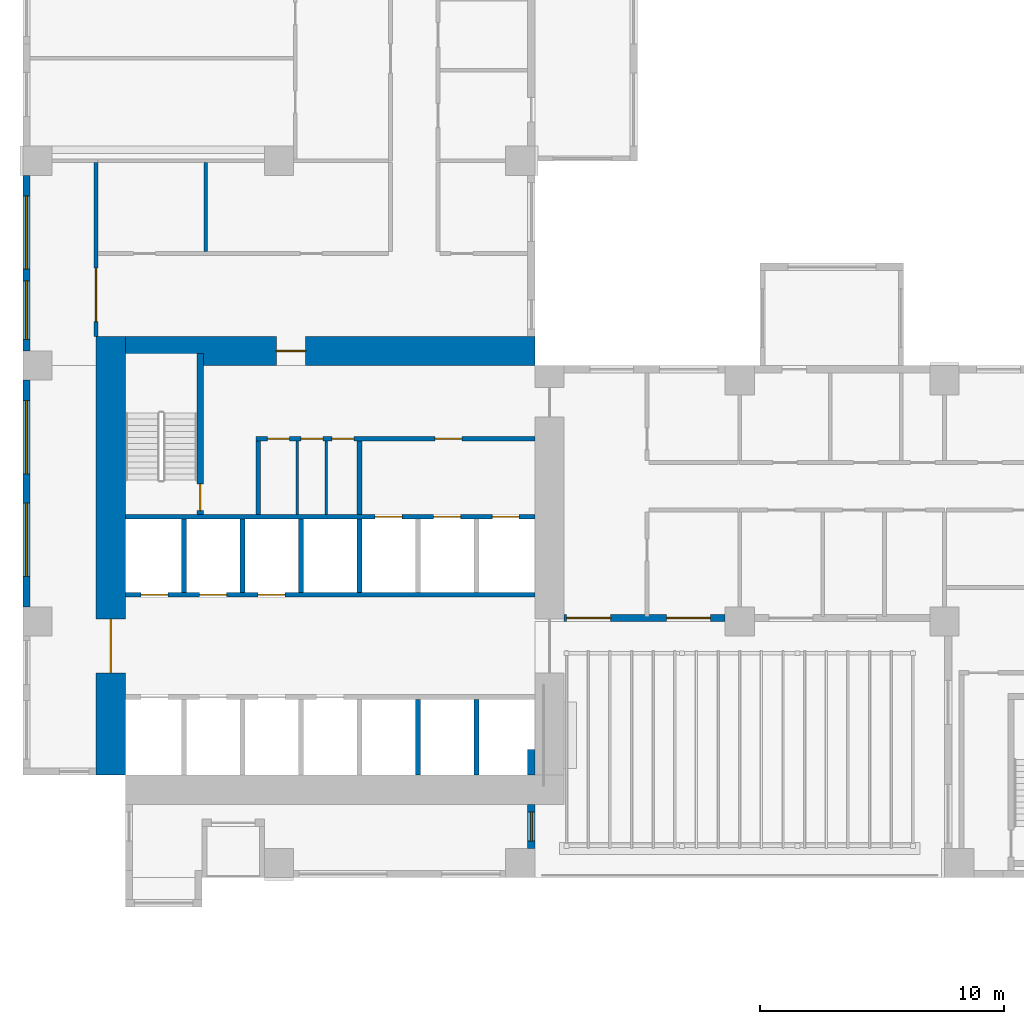
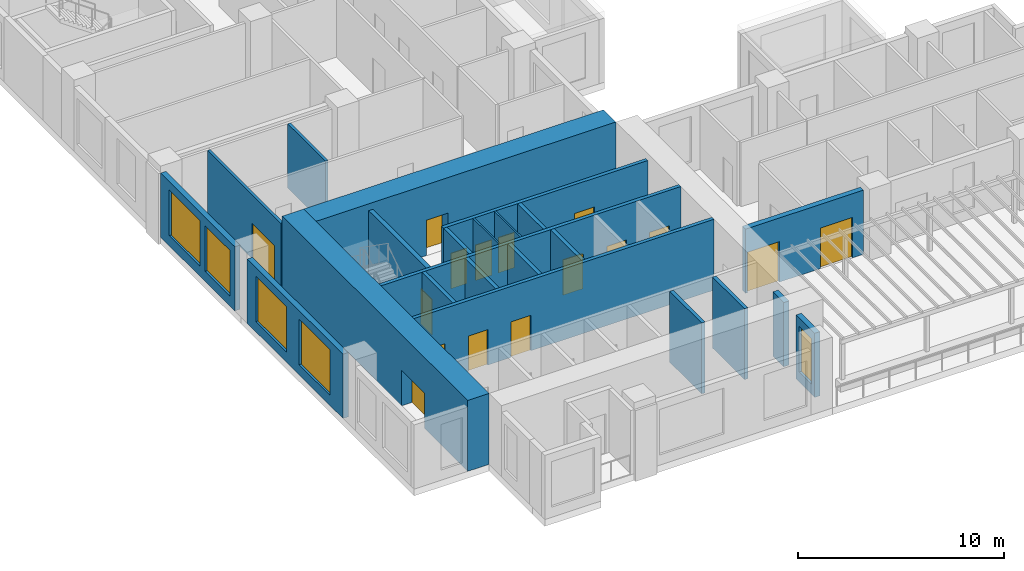
# One storey, part 4 of 16: 23 walls, 16 doors, 5 windows, 21 openings.
"""IFC4 building model written with IfcOpenShell, lengths in metres."""

from ifc_helpers import new_model, si_unit, direction, frame, frame_2d, origin, place, context, subcontext, project, spatial, rectangle, extrude, source, transform, mapped, material, layer, layer_set, type_object, element, fill, save


model = new_model("IFC4")

# Units and contexts
model_context = context("Model", 3, precision=1e-05, world=origin(), true_north=direction((0.0, 1.0)))
body_context = subcontext(model_context, "Body", "Model", "MODEL_VIEW")
ifc_project = project(units=[si_unit("LENGTHUNIT", "METRE"), si_unit("AREAUNIT", "SQUARE_METRE"), si_unit("VOLUMEUNIT", "CUBIC_METRE"), si_unit("PLANEANGLEUNIT", "RADIAN"), si_unit("MASSUNIT", "GRAM", prefix="KILO")], contexts=[model_context])

# Site, building, storey
site_placement = place(None, origin())
site = spatial("IfcSite", under=ifc_project, at=site_placement, CompositionType="ELEMENT")
building_placement = place(site_placement, origin())
building = spatial("IfcBuilding", under=site, at=building_placement, Name="Aurelian Terraces", CompositionType="ELEMENT")
storey_placement = place(building_placement, frame((0.0, 0.0, 95.1)))
storey = spatial("IfcBuildingStorey", under=building, at=storey_placement, Name="L20", CompositionType="ELEMENT", Elevation=95.1)

# Wall, opening, door
ifc_material_1 = material(Name="Concrete fc' 83 MPa", Category="concrete")
ifc_layer_1 = layer(ifc_material_1, 1.2)
ifc_layer_set_1 = layer_set([ifc_layer_1], Name="CORE WALL 1200 FC83")
wall_type_1 = type_object("IfcWallType", Name="CORE WALL 1200 FC83", PredefinedType="SHEAR", material=ifc_layer_set_1)
shared_shape_1 = source(origin(), body_context, "Body", "SweptSolid", [
    extrude(rectangle(XDim=18.0, YDim=1.2, at=frame_2d((9.0, 0.0))), origin(), (0.0, 0.0, 1.0), 4.2),
])
wall_1_placement = place(storey_placement, frame((3.6, 4.2, 0.0), z_axis=(0.0, 0.0, 1.0), x_axis=(0.0, 1.0, 0.0)))
wall_1 = element("IfcWall", 1, at=wall_1_placement, inside=storey, type_object=wall_type_1, Name="Core wall W L20", PredefinedType="SHEAR", context=body_context, shape_type="MappedRepresentation", body=[
    mapped(shared_shape_1, transform((0.0, 0.0, 0.0), scale=1.0)),
])
shared_shape_2 = source(origin(), body_context, "Body", "SweptSolid", [
    extrude(rectangle(XDim=2.2, YDim=2.1, at=frame_2d((1.1, 1.05))), frame((0.0, 0.61, 0.0), z_axis=(0.0, -1.0, 0.0), x_axis=(1.0, 0.0, 0.0)), (0.0, 0.0, 1.0), 1.22),
])
opening_1_placement = place(wall_1_placement, frame((4.2, 0.0, 0.0)))
opening_1 = element("IfcOpeningElement", 2, at=opening_1_placement, cuts=wall_1, Name="Opening 62322", PredefinedType="OPENING", context=body_context, shape_type="MappedRepresentation", body=[
    mapped(shared_shape_2, transform((0.0, 0.0, 0.0), scale=1.0)),
])
ifc_material_2 = material(Name="Steel door leaf", Category="steel")
door_type_1 = type_object("IfcDoorType", Name="Core double door 2200x2100", OperationType="DOUBLE_DOOR_SINGLE_SWING", PredefinedType="DOOR", material=ifc_material_2)
shared_shape_3 = source(origin(), body_context, "Body", "SweptSolid", [
    extrude(rectangle(XDim=2.2, YDim=2.1, at=frame_2d((1.1, 1.05))), frame((0.0, 0.025, 0.0), z_axis=(0.0, -1.0, 0.0), x_axis=(1.0, 0.0, 0.0)), (0.0, 0.0, 1.0), 0.05),
])
door_1_placement = place(opening_1_placement, origin())
door_1 = element("IfcDoor", 3, at=door_1_placement, inside=storey, type_object=door_type_1, Name="Core door 62322", OperationType="DOUBLE_DOOR_SINGLE_SWING", OverallHeight=2.1, OverallWidth=2.2, PredefinedType="DOOR", context=body_context, shape_type="MappedRepresentation", body=[
    mapped(shared_shape_3, transform((0.0, 0.0, 0.0), scale=1.0)),
])
fill(opening_1, door_1)

shared_shape_4 = source(origin(), body_context, "Body", "SweptSolid", [
    extrude(rectangle(XDim=16.8, YDim=1.2, at=frame_2d((8.4, 0.0))), origin(), (0.0, 0.0, 1.0), 4.2),
])
wall_2_placement = place(storey_placement, frame((4.2, 21.6, 0.0), z_axis=(0.0, 0.0, 1.0), x_axis=(1.0, 0.0, 0.0)))
wall_2 = element("IfcWall", 4, at=wall_2_placement, inside=storey, type_object=wall_type_1, Name="Core wall N L20", PredefinedType="SHEAR", context=body_context, shape_type="MappedRepresentation", body=[
    mapped(shared_shape_4, transform((0.0, 0.0, 0.0), scale=1.0)),
])
shared_shape_5 = source(origin(), body_context, "Body", "SweptSolid", [
    extrude(rectangle(XDim=1.2, YDim=2.1, at=frame_2d((0.6, 1.05))), frame((0.0, 0.61, 0.0), z_axis=(0.0, -1.0, 0.0), x_axis=(1.0, 0.0, 0.0)), (0.0, 0.0, 1.0), 1.22),
])
opening_2_placement = place(wall_2_placement, frame((6.2, 0.0, 0.0)))
opening_2 = element("IfcOpeningElement", 5, at=opening_2_placement, cuts=wall_2, Name="Opening 62323", PredefinedType="OPENING", context=body_context, shape_type="MappedRepresentation", body=[
    mapped(shared_shape_5, transform((0.0, 0.0, 0.0), scale=1.0)),
])
door_type_2 = type_object("IfcDoorType", Name="Core fire door 1200x2100 right", OperationType="SINGLE_SWING_RIGHT", PredefinedType="DOOR", material=ifc_material_2)
shared_shape_6 = source(origin(), body_context, "Body", "SweptSolid", [
    extrude(rectangle(XDim=1.2, YDim=2.1, at=frame_2d((0.6, 1.05))), frame((0.0, 0.025, 0.0), z_axis=(0.0, -1.0, 0.0), x_axis=(1.0, 0.0, 0.0)), (0.0, 0.0, 1.0), 0.05),
])
door_2_placement = place(opening_2_placement, origin())
door_2 = element("IfcDoor", 6, at=door_2_placement, inside=storey, type_object=door_type_2, Name="Core door 62323", OperationType="SINGLE_SWING_RIGHT", OverallHeight=2.1, OverallWidth=1.2, PredefinedType="DOOR", context=body_context, shape_type="MappedRepresentation", body=[
    mapped(shared_shape_6, transform((0.0, 0.0, 0.0), scale=1.0)),
])
fill(opening_2, door_2)

# Wall, openings, windows
ifc_material_3 = material(Name="Terracotta rainscreen cladding", Category="masonry")
ifc_layer_2 = layer(ifc_material_3, 0.3)
ifc_layer_set_2 = layer_set([ifc_layer_2], Name="EW-300")
wall_type_2 = type_object("IfcWallType", Name="EW-300", PredefinedType="STANDARD", material=ifc_layer_set_2)
shared_shape_7 = source(origin(), body_context, "Body", "SweptSolid", [
    extrude(rectangle(XDim=7.2, YDim=0.3, at=frame_2d((3.6, 0.0))), origin(), (0.0, 0.0, 1.0), 3.8),
])
wall_3_placement = place(storey_placement, frame((0.15, 28.8, 0.0), z_axis=(0.0, 0.0, 1.0), x_axis=(0.0, -1.0, 0.0)))
wall_3 = element("IfcWall", 7, at=wall_3_placement, inside=storey, type_object=wall_type_2, Name="External wall L20 F18.38", PredefinedType="STANDARD", context=body_context, shape_type="MappedRepresentation", body=[
    mapped(shared_shape_7, transform((0.0, 0.0, 0.0), scale=1.0)),
])
shared_shape_8 = source(origin(), body_context, "Body", "SweptSolid", [
    extrude(rectangle(XDim=3.0, YDim=2.7, at=frame_2d((1.5, 1.35))), frame((0.0, 0.16, 0.0), z_axis=(0.0, -1.0, 0.0), x_axis=(1.0, 0.0, 0.0)), (0.0, 0.0, 1.0), 0.32),
])
opening_3_placement = place(wall_3_placement, frame((0.84, 0.0, 0.6)))
opening_3 = element("IfcOpeningElement", 8, at=opening_3_placement, cuts=wall_3, Name="Opening W3027", PredefinedType="OPENING", context=body_context, shape_type="MappedRepresentation", body=[
    mapped(shared_shape_8, transform((0.0, 0.0, 0.0), scale=1.0)),
])
shared_shape_9 = source(origin(), body_context, "Body", "SweptSolid", [
    extrude(rectangle(XDim=2.4, YDim=2.7, at=frame_2d((1.2, 1.35))), frame((0.0, 0.16, 0.0), z_axis=(0.0, -1.0, 0.0), x_axis=(1.0, 0.0, 0.0)), (0.0, 0.0, 1.0), 0.32),
])
opening_4_placement = place(wall_3_placement, frame((4.32, 0.0, 0.6)))
opening_4 = element("IfcOpeningElement", 9, at=opening_4_placement, cuts=wall_3, Name="Opening W2427", PredefinedType="OPENING", context=body_context, shape_type="MappedRepresentation", body=[
    mapped(shared_shape_9, transform((0.0, 0.0, 0.0), scale=1.0)),
])
ifc_material_4 = material(Name="Clear glazing", Category="glass")
window_type_1 = type_object("IfcWindowType", Name="W-2400x2700", PartitioningType="SINGLE_PANEL", PredefinedType="WINDOW", material=ifc_material_4)
shared_shape_10 = source(origin(), body_context, "Body", "SweptSolid", [
    extrude(rectangle(XDim=2.4, YDim=2.7, at=frame_2d((1.2, 1.35))), frame((0.0, 0.03, 0.0), z_axis=(0.0, -1.0, 0.0), x_axis=(1.0, 0.0, 0.0)), (0.0, 0.0, 1.0), 0.06),
])
window_1_placement = place(opening_4_placement, origin())
window_1 = element("IfcWindow", 10, at=window_1_placement, inside=storey, type_object=window_type_1, Name="Window L20 L20-F18-38-G6-225", OverallHeight=2.7, OverallWidth=2.4, PartitioningType="SINGLE_PANEL", PredefinedType="WINDOW", context=body_context, shape_type="MappedRepresentation", body=[
    mapped(shared_shape_10, transform((0.0, 0.0, 0.0), scale=1.0)),
])
fill(opening_4, window_1)
window_type_2 = type_object("IfcWindowType", Name="W-3000x2700", PartitioningType="SINGLE_PANEL", PredefinedType="WINDOW", material=ifc_material_4)
shared_shape_11 = source(origin(), body_context, "Body", "SweptSolid", [
    extrude(rectangle(XDim=3.0, YDim=2.7, at=frame_2d((1.5, 1.35))), frame((0.0, 0.03, 0.0), z_axis=(0.0, -1.0, 0.0), x_axis=(1.0, 0.0, 0.0)), (0.0, 0.0, 1.0), 0.06),
])
window_2_placement = place(opening_3_placement, origin())
window_2 = element("IfcWindow", 11, at=window_2_placement, inside=storey, type_object=window_type_2, Name="Window L20 L20-F18-38-4", OverallHeight=2.7, OverallWidth=3.0, PartitioningType="SINGLE_PANEL", PredefinedType="WINDOW", context=body_context, shape_type="MappedRepresentation", body=[
    mapped(shared_shape_11, transform((0.0, 0.0, 0.0), scale=1.0)),
])
fill(opening_3, window_2)

# Wall, opening, window
shared_shape_12 = source(origin(), body_context, "Body", "SweptSolid", [
    extrude(rectangle(XDim=1.8, YDim=0.3, at=frame_2d((0.9, 0.0))), origin(), (0.0, 0.0, 1.0), 3.8),
])
wall_4_placement = place(storey_placement, frame((20.85, 1.2, 0.0), z_axis=(0.0, 0.0, 1.0), x_axis=(0.0, 1.0, 0.0)))
wall_4 = element("IfcWall", 12, at=wall_4_placement, inside=storey, type_object=wall_type_2, Name="External wall L20 F02.4", PredefinedType="STANDARD", context=body_context, shape_type="MappedRepresentation", body=[
    mapped(shared_shape_12, transform((0.0, 0.0, 0.0), scale=1.0)),
])
shared_shape_13 = source(origin(), body_context, "Body", "SweptSolid", [
    extrude(rectangle(XDim=1.2, YDim=2.7, at=frame_2d((0.6, 1.35))), frame((0.0, 0.16, 0.0), z_axis=(0.0, -1.0, 0.0), x_axis=(1.0, 0.0, 0.0)), (0.0, 0.0, 1.0), 0.32),
])
opening_5_placement = place(wall_4_placement, frame((0.3, 0.0, 0.6)))
opening_5 = element("IfcOpeningElement", 13, at=opening_5_placement, cuts=wall_4, Name="Opening W1227", PredefinedType="OPENING", context=body_context, shape_type="MappedRepresentation", body=[
    mapped(shared_shape_13, transform((0.0, 0.0, 0.0), scale=1.0)),
])
window_type_3 = type_object("IfcWindowType", Name="W-1200x2700", PartitioningType="SINGLE_PANEL", PredefinedType="WINDOW", material=ifc_material_4)
shared_shape_14 = source(origin(), body_context, "Body", "SweptSolid", [
    extrude(rectangle(XDim=1.2, YDim=2.7, at=frame_2d((0.6, 1.35))), frame((0.0, 0.03, 0.0), z_axis=(0.0, -1.0, 0.0), x_axis=(1.0, 0.0, 0.0)), (0.0, 0.0, 1.0), 0.06),
])
window_3_placement = place(opening_5_placement, origin())
window_3 = element("IfcWindow", 14, at=window_3_placement, inside=storey, type_object=window_type_3, Name="Window L20 L20-F02-04-P0", OverallHeight=2.7, OverallWidth=1.2, PartitioningType="SINGLE_PANEL", PredefinedType="WINDOW", context=body_context, shape_type="MappedRepresentation", body=[
    mapped(shared_shape_14, transform((0.0, 0.0, 0.0), scale=1.0)),
])
fill(opening_5, window_3)

# Wall, openings, doors
shared_shape_15 = source(origin(), body_context, "Body", "SweptSolid", [
    extrude(rectangle(XDim=6.6, YDim=0.3, at=frame_2d((3.3, 0.0))), origin(), (0.0, 0.0, 1.0), 3.8),
])
wall_5_placement = place(storey_placement, frame((22.2, 10.65, 0.0), z_axis=(0.0, 0.0, 1.0), x_axis=(1.0, 0.0, 0.0)))
wall_5 = element("IfcWall", 15, at=wall_5_placement, inside=storey, type_object=wall_type_2, Name="External wall L20 F03.6", PredefinedType="STANDARD", context=body_context, shape_type="MappedRepresentation", body=[
    mapped(shared_shape_15, transform((0.0, 0.0, 0.0), scale=1.0)),
])
shared_shape_16 = source(origin(), body_context, "Body", "SweptSolid", [
    extrude(rectangle(XDim=1.8, YDim=2.4, at=frame_2d((0.9, 1.2))), frame((0.0, 0.16, 0.0), z_axis=(0.0, -1.0, 0.0), x_axis=(1.0, 0.0, 0.0)), (0.0, 0.0, 1.0), 0.32),
])
opening_6_placement = place(wall_5_placement, frame((0.1, 0.0, 0.0)))
opening_6 = element("IfcOpeningElement", 16, at=opening_6_placement, cuts=wall_5, Name="Opening 82002", PredefinedType="OPENING", context=body_context, shape_type="MappedRepresentation", body=[
    mapped(shared_shape_16, transform((0.0, 0.0, 0.0), scale=1.0)),
])
opening_7_placement = place(wall_5_placement, frame((4.2, 0.0, 0.0)))
opening_7 = element("IfcOpeningElement", 17, at=opening_7_placement, cuts=wall_5, Name="Opening 82003", PredefinedType="OPENING", context=body_context, shape_type="MappedRepresentation", body=[
    mapped(shared_shape_16, transform((0.0, 0.0, 0.0), scale=1.0)),
])
door_type_3 = type_object("IfcDoorType", Name="BD-1800x2400", OperationType="SLIDING_TO_LEFT", PredefinedType="DOOR", material=ifc_material_4)
shared_shape_17 = source(origin(), body_context, "Body", "SweptSolid", [
    extrude(rectangle(XDim=1.8, YDim=2.4, at=frame_2d((0.9, 1.2))), frame((0.0, 0.025, 0.0), z_axis=(0.0, -1.0, 0.0), x_axis=(1.0, 0.0, 0.0)), (0.0, 0.0, 1.0), 0.05),
])
door_3_placement = place(opening_6_placement, origin())
door_3 = element("IfcDoor", 18, at=door_3_placement, inside=storey, type_object=door_type_3, Name="Terrace door L20 L20-F03-06.1", OperationType="SLIDING_TO_LEFT", OverallHeight=2.4, OverallWidth=1.8, PredefinedType="DOOR", context=body_context, shape_type="MappedRepresentation", body=[
    mapped(shared_shape_17, transform((0.0, 0.0, 0.0), scale=1.0)),
])
fill(opening_6, door_3)
door_4_placement = place(opening_7_placement, origin())
door_4 = element("IfcDoor", 19, at=door_4_placement, inside=storey, type_object=door_type_3, Name="Terrace door L20 L20-F03-06.2", OperationType="SLIDING_TO_LEFT", OverallHeight=2.4, OverallWidth=1.8, PredefinedType="DOOR", context=body_context, shape_type="MappedRepresentation", body=[
    mapped(shared_shape_17, transform((0.0, 0.0, 0.0), scale=1.0)),
])
fill(opening_7, door_4)

# Wall
shared_shape_18 = source(origin(), body_context, "Body", "SweptSolid", [
    extrude(rectangle(XDim=1.05, YDim=0.3, at=frame_2d((0.525, 0.0))), origin(), (0.0, 0.0, 1.0), 3.8),
])
wall_6_placement = place(storey_placement, frame((20.85, 4.2, 0.0), z_axis=(0.0, 0.0, 1.0), x_axis=(0.0, 1.0, 0.0)))
element("IfcWall", 20, at=wall_6_placement, inside=storey, type_object=wall_type_2, Name="External wall L20 F02.4", PredefinedType="STANDARD", context=body_context, shape_type="MappedRepresentation", body=[
    mapped(shared_shape_18, transform((0.0, 0.0, 0.0), scale=1.0)),
])

# Wall, openings, windows
shared_shape_19 = source(origin(), body_context, "Body", "SweptSolid", [
    extrude(rectangle(XDim=9.3, YDim=0.3, at=frame_2d((4.65, 0.0))), origin(), (0.0, 0.0, 1.0), 3.8),
])
wall_7_placement = place(storey_placement, frame((0.15, 20.4, 0.0), z_axis=(0.0, 0.0, 1.0), x_axis=(0.0, -1.0, 0.0)))
wall_7 = element("IfcWall", 21, at=wall_7_placement, inside=storey, type_object=wall_type_2, Name="External wall L20 F18.38", PredefinedType="STANDARD", context=body_context, shape_type="MappedRepresentation", body=[
    mapped(shared_shape_19, transform((0.0, 0.0, 0.0), scale=1.0)),
])
opening_8_placement = place(wall_7_placement, frame((0.84, 0.0, 0.6)))
opening_8 = element("IfcOpeningElement", 22, at=opening_8_placement, cuts=wall_7, Name="Opening W3027", PredefinedType="OPENING", context=body_context, shape_type="MappedRepresentation", body=[
    mapped(shared_shape_8, transform((0.0, 0.0, 0.0), scale=1.0)),
])
opening_9_placement = place(wall_7_placement, frame((5.04, 0.0, 0.6)))
opening_9 = element("IfcOpeningElement", 23, at=opening_9_placement, cuts=wall_7, Name="Opening W3027", PredefinedType="OPENING", context=body_context, shape_type="MappedRepresentation", body=[
    mapped(shared_shape_8, transform((0.0, 0.0, 0.0), scale=1.0)),
])
window_4_placement = place(opening_8_placement, origin())
window_4 = element("IfcWindow", 24, at=window_4_placement, inside=storey, type_object=window_type_2, Name="Window L20 L20-F18-38-6", OverallHeight=2.7, OverallWidth=3.0, PartitioningType="SINGLE_PANEL", PredefinedType="WINDOW", context=body_context, shape_type="MappedRepresentation", body=[
    mapped(shared_shape_11, transform((0.0, 0.0, 0.0), scale=1.0)),
])
fill(opening_8, window_4)
window_5_placement = place(opening_9_placement, origin())
window_5 = element("IfcWindow", 25, at=window_5_placement, inside=storey, type_object=window_type_2, Name="Window L20 L20-F18-38-7", OverallHeight=2.7, OverallWidth=3.0, PartitioningType="SINGLE_PANEL", PredefinedType="WINDOW", context=body_context, shape_type="MappedRepresentation", body=[
    mapped(shared_shape_11, transform((0.0, 0.0, 0.0), scale=1.0)),
])
fill(opening_9, window_5)

# Walls
ifc_material_5 = material(Name="Concrete fc' 40 MPa", Category="concrete")
ifc_layer_3 = layer(ifc_material_5, 0.2)
ifc_layer_set_3 = layer_set([ifc_layer_3], Name="Lift shaft wall 200")
wall_type_3 = type_object("IfcWallType", Name="Lift shaft wall 200", PredefinedType="SOLIDWALL", material=ifc_layer_set_3)
shared_shape_20 = source(origin(), body_context, "Body", "SweptSolid", [
    extrude(rectangle(XDim=3.1, YDim=0.2, at=frame_2d((1.55, 0.0))), origin(), (0.0, 0.0, 1.0), 4.2),
])
for number, where, z_axis, x_axis, name in (
    (26, (16.2, 4.2, 0.0), (0.0, 0.0, 1.0), (0.0, 1.0, 0.0), "L20 core wall CD-A5"),
    (27, (18.6, 4.2, 0.0), (0.0, 0.0, 1.0), (0.0, 1.0, 0.0), "L20 core wall CD-A6"),
):
    element("IfcWall", number, at=place(storey_placement, frame(where, z_axis=z_axis, x_axis=x_axis)), inside=storey, type_object=wall_type_3, Name=name, PredefinedType="SOLIDWALL", context=body_context, shape_type="MappedRepresentation", body=[
        mapped(shared_shape_20, transform((0.0, 0.0, 0.0), scale=1.0)),
    ])
shared_shape_21 = source(origin(), body_context, "Body", "SweptSolid", [
    extrude(rectangle(XDim=3.0, YDim=0.2, at=frame_2d((1.5, 0.0))), origin(), (0.0, 0.0, 1.0), 4.2),
])
for number, where, z_axis, x_axis, name in (
    (28, (6.6, 11.7, 0.0), (0.0, 0.0, 1.0), (0.0, 1.0, 0.0), "L20 core wall CD-B1"),
    (29, (9.0, 11.7, 0.0), (0.0, 0.0, 1.0), (0.0, 1.0, 0.0), "L20 core wall CD-B2"),
    (30, (11.4, 11.7, 0.0), (0.0, 0.0, 1.0), (0.0, 1.0, 0.0), "L20 core wall CD-B3"),
    (31, (13.8, 11.7, 0.0), (0.0, 0.0, 1.0), (0.0, 1.0, 0.0), "L20 core wall CD-B4"),
):
    element("IfcWall", number, at=place(storey_placement, frame(where, z_axis=z_axis, x_axis=x_axis)), inside=storey, type_object=wall_type_3, Name=name, PredefinedType="SOLIDWALL", context=body_context, shape_type="MappedRepresentation", body=[
        mapped(shared_shape_21, transform((0.0, 0.0, 0.0), scale=1.0)),
    ])

# Wall, openings, doors
shared_shape_22 = source(origin(), body_context, "Body", "SweptSolid", [
    extrude(rectangle(XDim=16.8, YDim=0.2, at=frame_2d((8.4, 0.0))), origin(), (0.0, 0.0, 1.0), 4.2),
])
wall_8_placement = place(storey_placement, frame((4.2, 11.6, 0.0), z_axis=(0.0, 0.0, 1.0), x_axis=(1.0, 0.0, 0.0)))
wall_8 = element("IfcWall", 32, at=wall_8_placement, inside=storey, type_object=wall_type_3, Name="L20 core wall CF-BF1", PredefinedType="SOLIDWALL", context=body_context, shape_type="MappedRepresentation", body=[
    mapped(shared_shape_22, transform((0.0, 0.0, 0.0), scale=1.0)),
])
shared_shape_23 = source(origin(), body_context, "Body", "SweptSolid", [
    extrude(rectangle(XDim=1.1, YDim=2.1, at=frame_2d((0.55, 1.05))), frame((0.0, 0.11, 0.0), z_axis=(0.0, -1.0, 0.0), x_axis=(1.0, 0.0, 0.0)), (0.0, 0.0, 1.0), 0.22),
])
opening_10_placement = place(wall_8_placement, frame((0.65, 0.0, 0.0)))
opening_10 = element("IfcOpeningElement", 33, at=opening_10_placement, cuts=wall_8, Name="Opening 62304", PredefinedType="OPENING", context=body_context, shape_type="MappedRepresentation", body=[
    mapped(shared_shape_23, transform((0.0, 0.0, 0.0), scale=1.0)),
])
opening_11_placement = place(wall_8_placement, frame((3.05, 0.0, 0.0)))
opening_11 = element("IfcOpeningElement", 34, at=opening_11_placement, cuts=wall_8, Name="Opening 62305", PredefinedType="OPENING", context=body_context, shape_type="MappedRepresentation", body=[
    mapped(shared_shape_23, transform((0.0, 0.0, 0.0), scale=1.0)),
])
opening_12_placement = place(wall_8_placement, frame((5.45, 0.0, 0.0)))
opening_12 = element("IfcOpeningElement", 35, at=opening_12_placement, cuts=wall_8, Name="Opening 62306", PredefinedType="OPENING", context=body_context, shape_type="MappedRepresentation", body=[
    mapped(shared_shape_23, transform((0.0, 0.0, 0.0), scale=1.0)),
])
ifc_material_6 = material(Name="Stainless steel", Category="steel")
door_type_4 = type_object("IfcDoorType", Name="Lift landing door 1100x2100", OperationType="SLIDING_TO_LEFT", PredefinedType="DOOR", material=ifc_material_6)
shared_shape_24 = source(origin(), body_context, "Body", "SweptSolid", [
    extrude(rectangle(XDim=1.1, YDim=2.1, at=frame_2d((0.55, 1.05))), frame((0.0, 0.025, 0.0), z_axis=(0.0, -1.0, 0.0), x_axis=(1.0, 0.0, 0.0)), (0.0, 0.0, 1.0), 0.05),
])
door_5_placement = place(opening_10_placement, origin())
door_5 = element("IfcDoor", 36, at=door_5_placement, inside=storey, type_object=door_type_4, Name="Lift landing door LL5 L20", OperationType="SLIDING_TO_LEFT", OverallHeight=2.1, OverallWidth=1.1, PredefinedType="DOOR", context=body_context, shape_type="MappedRepresentation", body=[
    mapped(shared_shape_24, transform((0.0, 0.0, 0.0), scale=1.0)),
])
fill(opening_10, door_5)
door_6_placement = place(opening_11_placement, origin())
door_6 = element("IfcDoor", 37, at=door_6_placement, inside=storey, type_object=door_type_4, Name="Lift landing door LL6 L20", OperationType="SLIDING_TO_LEFT", OverallHeight=2.1, OverallWidth=1.1, PredefinedType="DOOR", context=body_context, shape_type="MappedRepresentation", body=[
    mapped(shared_shape_24, transform((0.0, 0.0, 0.0), scale=1.0)),
])
fill(opening_11, door_6)
door_7_placement = place(opening_12_placement, origin())
door_7 = element("IfcDoor", 38, at=door_7_placement, inside=storey, type_object=door_type_4, Name="Lift landing door LL7 L20", OperationType="SLIDING_TO_LEFT", OverallHeight=2.1, OverallWidth=1.1, PredefinedType="DOOR", context=body_context, shape_type="MappedRepresentation", body=[
    mapped(shared_shape_24, transform((0.0, 0.0, 0.0), scale=1.0)),
])
fill(opening_12, door_7)

wall_9_placement = place(storey_placement, frame((4.2, 14.8, 0.0), z_axis=(0.0, 0.0, 1.0), x_axis=(1.0, 0.0, 0.0)))
wall_9 = element("IfcWall", 39, at=wall_9_placement, inside=storey, type_object=wall_type_3, Name="L20 core wall CF-BB1", PredefinedType="SOLIDWALL", context=body_context, shape_type="MappedRepresentation", body=[
    mapped(shared_shape_22, transform((0.0, 0.0, 0.0), scale=1.0)),
])
opening_13_placement = place(wall_9_placement, frame((10.25, 0.0, 0.0)))
opening_13 = element("IfcOpeningElement", 40, at=opening_13_placement, cuts=wall_9, Name="Opening 62307", PredefinedType="OPENING", context=body_context, shape_type="MappedRepresentation", body=[
    mapped(shared_shape_23, transform((0.0, 0.0, 0.0), scale=1.0)),
])
opening_14_placement = place(wall_9_placement, frame((12.65, 0.0, 0.0)))
opening_14 = element("IfcOpeningElement", 41, at=opening_14_placement, cuts=wall_9, Name="Opening 62308", PredefinedType="OPENING", context=body_context, shape_type="MappedRepresentation", body=[
    mapped(shared_shape_23, transform((0.0, 0.0, 0.0), scale=1.0)),
])
opening_15_placement = place(wall_9_placement, frame((15.05, 0.0, 0.0)))
opening_15 = element("IfcOpeningElement", 42, at=opening_15_placement, cuts=wall_9, Name="Opening 62309", PredefinedType="OPENING", context=body_context, shape_type="MappedRepresentation", body=[
    mapped(shared_shape_23, transform((0.0, 0.0, 0.0), scale=1.0)),
])
door_8_placement = place(opening_13_placement, origin())
door_8 = element("IfcDoor", 43, at=door_8_placement, inside=storey, type_object=door_type_4, Name="Lift landing door F1 L20", OperationType="SLIDING_TO_LEFT", OverallHeight=2.1, OverallWidth=1.1, PredefinedType="DOOR", context=body_context, shape_type="MappedRepresentation", body=[
    mapped(shared_shape_24, transform((0.0, 0.0, 0.0), scale=1.0)),
])
fill(opening_13, door_8)
door_9_placement = place(opening_14_placement, origin())
door_9 = element("IfcDoor", 44, at=door_9_placement, inside=storey, type_object=door_type_4, Name="Lift landing door F2 L20", OperationType="SLIDING_TO_LEFT", OverallHeight=2.1, OverallWidth=1.1, PredefinedType="DOOR", context=body_context, shape_type="MappedRepresentation", body=[
    mapped(shared_shape_24, transform((0.0, 0.0, 0.0), scale=1.0)),
])
fill(opening_14, door_9)
door_10_placement = place(opening_15_placement, origin())
door_10 = element("IfcDoor", 45, at=door_10_placement, inside=storey, type_object=door_type_4, Name="Lift landing door F3 L20", OperationType="SLIDING_TO_LEFT", OverallHeight=2.1, OverallWidth=1.1, PredefinedType="DOOR", context=body_context, shape_type="MappedRepresentation", body=[
    mapped(shared_shape_24, transform((0.0, 0.0, 0.0), scale=1.0)),
])
fill(opening_15, door_10)

# Walls
ifc_material_7 = material(Name="Gypsum board on steel studs", Category="steel")
ifc_layer_4 = layer(ifc_material_7, 0.2)
ifc_layer_set_4 = layer_set([ifc_layer_4], Name="Core partition 200")
wall_type_4 = type_object("IfcWallType", Name="Core partition 200", PredefinedType="PARTITIONING", material=ifc_layer_set_4)
shared_shape_25 = source(origin(), body_context, "Body", "SweptSolid", [
    extrude(rectangle(XDim=3.0, YDim=0.2, at=frame_2d((1.5, 0.0))), origin(), (0.0, 0.0, 1.0), 3.8),
])
for number, where, z_axis, x_axis, name in (
    (46, (9.65, 14.9, 0.0), (0.0, 0.0, 1.0), (0.0, 1.0, 0.0), "L20 core wall CP-VEST"),
    (47, (13.8, 14.9, 0.0), (0.0, 0.0, 1.0), (0.0, 1.0, 0.0), "L20 core wall CP-FFL"),
):
    element("IfcWall", number, at=place(storey_placement, frame(where, z_axis=z_axis, x_axis=x_axis)), inside=storey, type_object=wall_type_4, Name=name, PredefinedType="PARTITIONING", context=body_context, shape_type="MappedRepresentation", body=[
        mapped(shared_shape_25, transform((0.0, 0.0, 0.0), scale=1.0)),
    ])
ifc_layer_5 = layer(ifc_material_7, 0.1)
ifc_layer_set_5 = layer_set([ifc_layer_5], Name="Core partition 100")
wall_type_5 = type_object("IfcWallType", Name="Core partition 100", PredefinedType="PARTITIONING", material=ifc_layer_set_5)
shared_shape_26 = source(origin(), body_context, "Body", "SweptSolid", [
    extrude(rectangle(XDim=3.0, YDim=0.1, at=frame_2d((1.5, 0.0))), origin(), (0.0, 0.0, 1.0), 3.8),
])
for number, where, z_axis, x_axis, name in (
    (48, (11.25, 14.9, 0.0), (0.0, 0.0, 1.0), (0.0, 1.0, 0.0), "L20 core wall CP-SV1"),
    (49, (12.45, 14.9, 0.0), (0.0, 0.0, 1.0), (0.0, 1.0, 0.0), "L20 core wall CP-SV2"),
):
    element("IfcWall", number, at=place(storey_placement, frame(where, z_axis=z_axis, x_axis=x_axis)), inside=storey, type_object=wall_type_5, Name=name, PredefinedType="PARTITIONING", context=body_context, shape_type="MappedRepresentation", body=[
        mapped(shared_shape_26, transform((0.0, 0.0, 0.0), scale=1.0)),
    ])

# Wall, opening, door
ifc_layer_6 = layer(ifc_material_5, 0.25)
ifc_layer_set_6 = layer_set([ifc_layer_6], Name="Stair enclosure wall 250")
wall_type_6 = type_object("IfcWallType", Name="Stair enclosure wall 250", PredefinedType="SOLIDWALL", material=ifc_layer_set_6)
shared_shape_27 = source(origin(), body_context, "Body", "SweptSolid", [
    extrude(rectangle(XDim=6.6, YDim=0.25, at=frame_2d((3.3, 0.0))), origin(), (0.0, 0.0, 1.0), 3.8),
])
wall_10_placement = place(storey_placement, frame((7.275, 14.9, 0.0), z_axis=(0.0, 0.0, 1.0), x_axis=(0.0, 1.0, 0.0)))
wall_10 = element("IfcWall", 50, at=wall_10_placement, inside=storey, type_object=wall_type_6, Name="L20 core wall ST-S1-E", PredefinedType="SOLIDWALL", context=body_context, shape_type="MappedRepresentation", body=[
    mapped(shared_shape_27, transform((0.0, 0.0, 0.0), scale=1.0)),
])
shared_shape_28 = source(origin(), body_context, "Body", "SweptSolid", [
    extrude(rectangle(XDim=1.1, YDim=2.1, at=frame_2d((0.55, 1.05))), frame((0.0, 0.135, 0.0), z_axis=(0.0, -1.0, 0.0), x_axis=(1.0, 0.0, 0.0)), (0.0, 0.0, 1.0), 0.27),
])
opening_16_placement = place(wall_10_placement, frame((0.15, 0.0, 0.0)))
opening_16 = element("IfcOpeningElement", 51, at=opening_16_placement, cuts=wall_10, Name="Opening 62310", PredefinedType="OPENING", context=body_context, shape_type="MappedRepresentation", body=[
    mapped(shared_shape_28, transform((0.0, 0.0, 0.0), scale=1.0)),
])
door_type_5 = type_object("IfcDoorType", Name="Core fire door 1100x2100 right", OperationType="SINGLE_SWING_RIGHT", PredefinedType="DOOR", material=ifc_material_2)
door_11_placement = place(opening_16_placement, origin())
door_11 = element("IfcDoor", 52, at=door_11_placement, inside=storey, type_object=door_type_5, Name="Stair door 62310", OperationType="SINGLE_SWING_RIGHT", OverallHeight=2.1, OverallWidth=1.1, PredefinedType="DOOR", context=body_context, shape_type="MappedRepresentation", body=[
    mapped(shared_shape_24, transform((0.0, 0.0, 0.0), scale=1.0)),
])
fill(opening_16, door_11)

# Wall, openings, doors
shared_shape_29 = source(origin(), body_context, "Body", "SweptSolid", [
    extrude(rectangle(XDim=11.45, YDim=0.2, at=frame_2d((5.725, 0.0))), origin(), (0.0, 0.0, 1.0), 3.8),
])
wall_11_placement = place(storey_placement, frame((9.55, 18.0, 0.0), z_axis=(0.0, 0.0, 1.0), x_axis=(1.0, 0.0, 0.0)))
wall_11 = element("IfcWall", 53, at=wall_11_placement, inside=storey, type_object=wall_type_4, Name="L20 core wall CP-NORTH", PredefinedType="PARTITIONING", context=body_context, shape_type="MappedRepresentation", body=[
    mapped(shared_shape_29, transform((0.0, 0.0, 0.0), scale=1.0)),
])
shared_shape_30 = source(origin(), body_context, "Body", "SweptSolid", [
    extrude(rectangle(XDim=0.9, YDim=2.1, at=frame_2d((0.45, 1.05))), frame((0.0, 0.11, 0.0), z_axis=(0.0, -1.0, 0.0), x_axis=(1.0, 0.0, 0.0)), (0.0, 0.0, 1.0), 0.22),
])
opening_17_placement = place(wall_11_placement, frame((0.475, 0.0, 0.0)))
opening_17 = element("IfcOpeningElement", 54, at=opening_17_placement, cuts=wall_11, Name="Opening 62311", PredefinedType="OPENING", context=body_context, shape_type="MappedRepresentation", body=[
    mapped(shared_shape_30, transform((0.0, 0.0, 0.0), scale=1.0)),
])
opening_18_placement = place(wall_11_placement, frame((1.85, 0.0, 0.0)))
opening_18 = element("IfcOpeningElement", 55, at=opening_18_placement, cuts=wall_11, Name="Opening 62312", PredefinedType="OPENING", context=body_context, shape_type="MappedRepresentation", body=[
    mapped(shared_shape_30, transform((0.0, 0.0, 0.0), scale=1.0)),
])
opening_19_placement = place(wall_11_placement, frame((3.125, 0.0, 0.0)))
opening_19 = element("IfcOpeningElement", 56, at=opening_19_placement, cuts=wall_11, Name="Opening 62313", PredefinedType="OPENING", context=body_context, shape_type="MappedRepresentation", body=[
    mapped(shared_shape_30, transform((0.0, 0.0, 0.0), scale=1.0)),
])
opening_20_placement = place(wall_11_placement, frame((7.35, 0.0, 0.0)))
opening_20 = element("IfcOpeningElement", 57, at=opening_20_placement, cuts=wall_11, Name="Opening 62314", PredefinedType="OPENING", context=body_context, shape_type="MappedRepresentation", body=[
    mapped(shared_shape_23, transform((0.0, 0.0, 0.0), scale=1.0)),
])
door_type_6 = type_object("IfcDoorType", Name="Core service door 900x2100", OperationType="SINGLE_SWING_LEFT", PredefinedType="DOOR", material=ifc_material_2)
shared_shape_31 = source(origin(), body_context, "Body", "SweptSolid", [
    extrude(rectangle(XDim=0.9, YDim=2.1, at=frame_2d((0.45, 1.05))), frame((0.0, 0.025, 0.0), z_axis=(0.0, -1.0, 0.0), x_axis=(1.0, 0.0, 0.0)), (0.0, 0.0, 1.0), 0.05),
])
door_12_placement = place(opening_17_placement, origin())
door_12 = element("IfcDoor", 58, at=door_12_placement, inside=storey, type_object=door_type_6, Name="Room door 62311", OperationType="SINGLE_SWING_LEFT", OverallHeight=2.1, OverallWidth=0.9, PredefinedType="DOOR", context=body_context, shape_type="MappedRepresentation", body=[
    mapped(shared_shape_31, transform((0.0, 0.0, 0.0), scale=1.0)),
])
fill(opening_17, door_12)
door_type_7 = type_object("IfcDoorType", Name="Core riser door 900x2100 right", OperationType="SINGLE_SWING_RIGHT", PredefinedType="DOOR", material=ifc_material_2)
door_13_placement = place(opening_18_placement, origin())
door_13 = element("IfcDoor", 59, at=door_13_placement, inside=storey, type_object=door_type_7, Name="Room door 62312", OperationType="SINGLE_SWING_RIGHT", OverallHeight=2.1, OverallWidth=0.9, PredefinedType="DOOR", context=body_context, shape_type="MappedRepresentation", body=[
    mapped(shared_shape_31, transform((0.0, 0.0, 0.0), scale=1.0)),
])
fill(opening_18, door_13)
door_14_placement = place(opening_19_placement, origin())
door_14 = element("IfcDoor", 60, at=door_14_placement, inside=storey, type_object=door_type_6, Name="Room door 62313", OperationType="SINGLE_SWING_LEFT", OverallHeight=2.1, OverallWidth=0.9, PredefinedType="DOOR", context=body_context, shape_type="MappedRepresentation", body=[
    mapped(shared_shape_31, transform((0.0, 0.0, 0.0), scale=1.0)),
])
fill(opening_19, door_14)
door_15_placement = place(opening_20_placement, origin())
door_15 = element("IfcDoor", 61, at=door_15_placement, inside=storey, type_object=door_type_5, Name="Ff lobby door 62314", OperationType="SINGLE_SWING_RIGHT", OverallHeight=2.1, OverallWidth=1.1, PredefinedType="DOOR", context=body_context, shape_type="MappedRepresentation", body=[
    mapped(shared_shape_24, transform((0.0, 0.0, 0.0), scale=1.0)),
])
fill(opening_20, door_15)

# Wall, opening, door
ifc_layer_7 = layer(ifc_material_7, 0.15)
ifc_layer_set_7 = layer_set([ifc_layer_7], Name="Partition 150")
wall_type_7 = type_object("IfcWallType", Name="Partition 150", PredefinedType="PARTITIONING", material=ifc_layer_set_7)
shared_shape_32 = source(origin(), body_context, "Body", "SweptSolid", [
    extrude(rectangle(XDim=7.125, YDim=0.15, at=frame_2d((3.5625, 0.0))), origin(), (0.0, 0.0, 1.0), 3.8),
])
wall_12_placement = place(storey_placement, frame((3.0, 29.325, 0.0), z_axis=(0.0, 0.0, 1.0), x_axis=(0.0, -1.0, 0.0)))
wall_12 = element("IfcWall", 62, at=wall_12_placement, inside=storey, type_object=wall_type_7, Name="Partition", PredefinedType="PARTITIONING", context=body_context, shape_type="MappedRepresentation", body=[
    mapped(shared_shape_32, transform((0.0, 0.0, 0.0), scale=1.0)),
])
shared_shape_33 = source(origin(), body_context, "Body", "SweptSolid", [
    extrude(rectangle(XDim=2.2, YDim=2.1, at=frame_2d((1.1, 1.05))), frame((0.0, 0.085, 0.0), z_axis=(0.0, -1.0, 0.0), x_axis=(1.0, 0.0, 0.0)), (0.0, 0.0, 1.0), 0.17),
])
opening_21_placement = place(wall_12_placement, frame((4.325, 0.0, 0.0)))
opening_21 = element("IfcOpeningElement", 63, at=opening_21_placement, cuts=wall_12, Name="Opening 720027", PredefinedType="OPENING", context=body_context, shape_type="MappedRepresentation", body=[
    mapped(shared_shape_33, transform((0.0, 0.0, 0.0), scale=1.0)),
])
ifc_material_8 = material(Name="Timber door leaf", Category="wood")
door_type_8 = type_object("IfcDoorType", Name="Double room door 2200x2100", OperationType="DOUBLE_DOOR_SINGLE_SWING", PredefinedType="DOOR", material=ifc_material_8)
door_16_placement = place(opening_21_placement, origin())
door_16 = element("IfcDoor", 64, at=door_16_placement, inside=storey, type_object=door_type_8, Name="Door 720027", OperationType="DOUBLE_DOOR_SINGLE_SWING", OverallHeight=2.1, OverallWidth=2.2, PredefinedType="DOOR", context=body_context, shape_type="MappedRepresentation", body=[
    mapped(shared_shape_3, transform((0.0, 0.0, 0.0), scale=1.0)),
])
fill(opening_21, door_16)

# Wall
shared_shape_34 = source(origin(), body_context, "Body", "SweptSolid", [
    extrude(rectangle(XDim=3.65, YDim=0.15, at=frame_2d((1.825, 0.0))), origin(), (0.0, 0.0, 1.0), 3.8),
])
wall_13_placement = place(storey_placement, frame((7.5, 25.675, 0.0), z_axis=(0.0, 0.0, 1.0), x_axis=(0.0, 1.0, 0.0)))
element("IfcWall", 65, at=wall_13_placement, inside=storey, type_object=wall_type_7, Name="Partition", PredefinedType="PARTITIONING", context=body_context, shape_type="MappedRepresentation", body=[
    mapped(shared_shape_34, transform((0.0, 0.0, 0.0), scale=1.0)),
])

save(model, "model.ifc")
